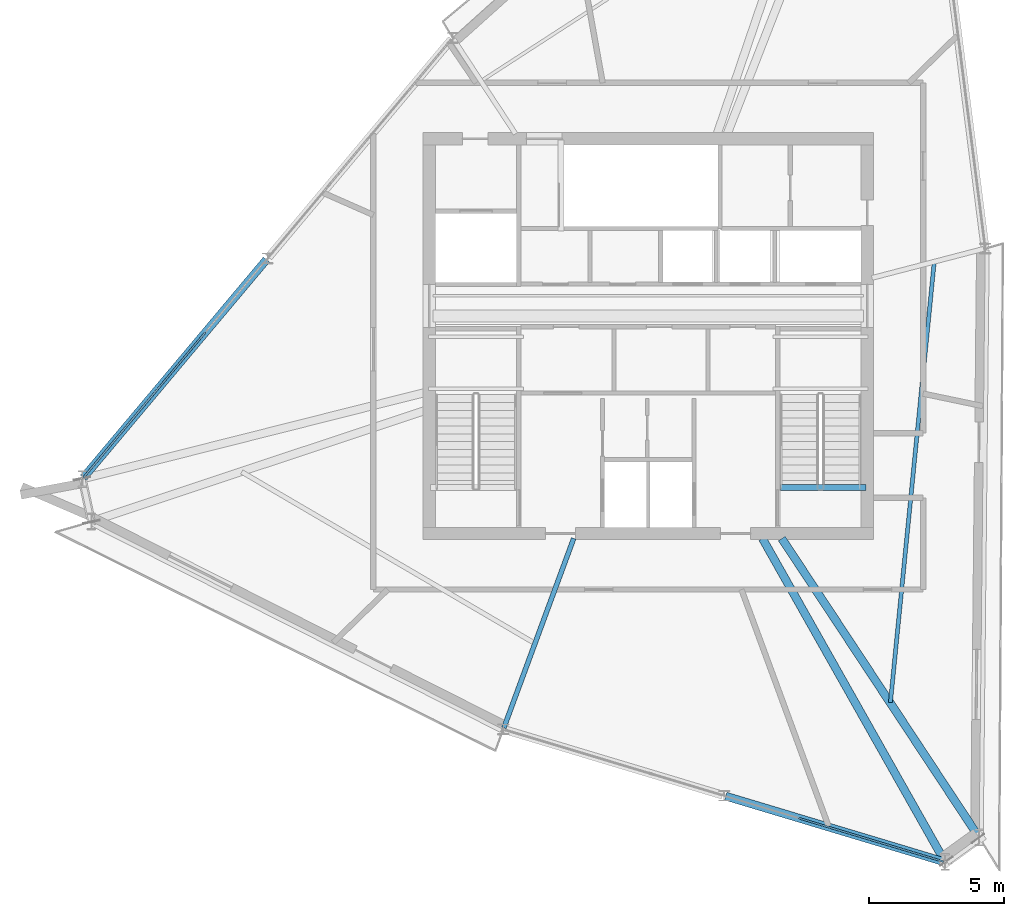
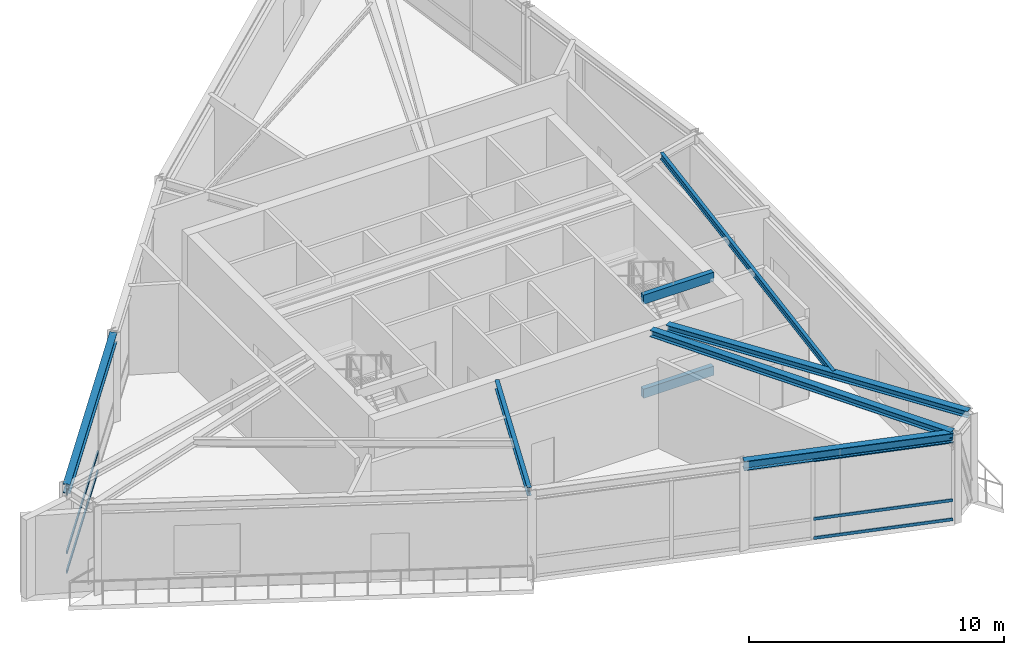
# One storey, part 5 of 23: 8 beams, 6 members, 2 elements without a shape of their own.
"""IFC4 building model written with IfcOpenShell, lengths in metres."""

from ifc_helpers import new_model, si_unit, direction, frame, origin, origin_2d, place, context, subcontext, project, spatial, rectangle, hollow_rectangle, i_section, extrude, source, transform, mapped, material, material_profile, profile_set, type_object, element, aggregate, save


model = new_model("IFC4")

# Units and contexts
model_context = context("Model", 3, precision=1e-05, world=origin(), true_north=direction((0.0, 1.0)))
body_context = subcontext(model_context, "Body", "Model", "MODEL_VIEW")
ifc_project = project(units=[si_unit("LENGTHUNIT", "METRE"), si_unit("AREAUNIT", "SQUARE_METRE"), si_unit("VOLUMEUNIT", "CUBIC_METRE"), si_unit("PLANEANGLEUNIT", "RADIAN"), si_unit("MASSUNIT", "GRAM", prefix="KILO")], contexts=[model_context])

# Site, building, storey
site_placement = place(None, origin())
site = spatial("IfcSite", under=ifc_project, at=site_placement, CompositionType="ELEMENT")
building_placement = place(site_placement, origin())
building = spatial("IfcBuilding", under=site, at=building_placement, Name="Olszyna Solenne Hotel", CompositionType="ELEMENT")
storey_placement = place(building_placement, frame((0.0, 0.0, 290.5)))
storey = spatial("IfcBuildingStorey", under=building, at=storey_placement, Name="L77", CompositionType="ELEMENT", Elevation=290.5)

# Beams
ifc_material_1 = material(Name="Steel S355J2", Category="steel")
ifc_material_profile_1 = material_profile(ifc_material_1, i_section(OverallWidth=0.300048828125, OverallDepth=0.449951171875, WebThickness=0.013916015625, FlangeThickness=0.02587890625, at=origin_2d()), Name="HEB 450", Category="load-bearing")
ifc_profile_set_1 = profile_set([ifc_material_profile_1], Name="Steel S355J2")
beam_type_1 = type_object("IfcBeamType", Name="BM-S4", PredefinedType="BEAM", material=ifc_profile_set_1)
shared_shape_1 = source(origin(), body_context, "Body", "SweptSolid", [
    extrude(i_section(OverallWidth=0.300048828125, OverallDepth=0.449951171875, WebThickness=0.013916015625, FlangeThickness=0.02587890625, at=origin_2d()), origin(), (0.0, 0.0, 1.0), 10.564208984375),
])
beam_1_placement = place(storey_placement, frame((23.830810546875, 29.440185546875, 4.014892578125), z_axis=(-0.643069046856, -0.765808201167, 0.0), x_axis=(0.765808201167, -0.643069046856, 0.0)))
element("IfcBeam", 1, at=beam_1_placement, inside=storey, type_object=beam_type_1, Name="Perimeter spandrel beam BM-S4 B-L77-2255", PredefinedType="BEAM", context=body_context, shape_type="MappedRepresentation", body=[
    mapped(shared_shape_1, transform((0.0, 0.0, 0.0), x_axis=(1.0, 0.0, 0.0), y_axis=(0.0, 1.0, 0.0), z_axis=(0.0, 0.0, 1.0), scale=1.0)),
])
shared_shape_2 = source(origin(), body_context, "Body", "SweptSolid", [
    extrude(i_section(OverallWidth=0.300048828125, OverallDepth=0.449951171875, WebThickness=0.013916015625, FlangeThickness=0.02587890625, at=origin_2d()), origin(), (0.0, 0.0, 1.0), 8.439453125),
])
beam_2_placement = place(storey_placement, frame((40.876708984375, 9.5322265625, 4.014892578125), z_axis=(0.957713150335, -0.287724732472, 0.0), x_axis=(0.287724732472, 0.957713150335, 0.0)))
element("IfcBeam", 2, at=beam_2_placement, inside=storey, type_object=beam_type_1, Name="Perimeter spandrel beam BM-S4 B-L77-2259", PredefinedType="BEAM", context=body_context, shape_type="MappedRepresentation", body=[
    mapped(shared_shape_2, transform((0.0, 0.0, 0.0), x_axis=(1.0, 0.0, 0.0), y_axis=(0.0, 1.0, 0.0), z_axis=(0.0, 0.0, 1.0), scale=1.0)),
])
ifc_material_profile_2 = material_profile(ifc_material_1, i_section(OverallWidth=0.300048828125, OverallDepth=0.31005859375, WebThickness=0.009033203125, FlangeThickness=0.015380859375, at=origin_2d()), Name="HEA 320", Category="load-bearing")
ifc_profile_set_2 = profile_set([ifc_material_profile_2], Name="Steel S355J2")
beam_type_2 = type_object("IfcBeamType", Name="BM-G3", PredefinedType="BEAM", material=ifc_profile_set_2)
shared_shape_3 = source(origin(), body_context, "Body", "SweptSolid", [
    extrude(i_section(OverallWidth=0.300048828125, OverallDepth=0.31005859375, WebThickness=0.009033203125, FlangeThickness=0.015380859375, at=origin_2d()), origin(), (0.0, 0.0, 1.0), 13.728271484375),
])
beam_3_placement = place(storey_placement, frame((48.9873046875, 7.138916015625, 4.0849609375), z_axis=(-0.491633520699, 0.870802205627, 0.0), x_axis=(-0.870802205627, -0.491633520699, 0.0)))
element("IfcBeam", 3, at=beam_3_placement, inside=storey, type_object=beam_type_2, Name="Radial floor girder BM-G3 B-L77-2270", PredefinedType="BEAM", context=body_context, shape_type="MappedRepresentation", body=[
    mapped(shared_shape_3, transform((0.0, 0.0, 0.0), x_axis=(1.0, 0.0, 0.0), y_axis=(0.0, 1.0, 0.0), z_axis=(0.0, 0.0, 1.0), scale=1.0)),
])
ifc_material_profile_3 = material_profile(ifc_material_1, i_section(OverallWidth=0.179931640625, OverallDepth=0.39990234375, WebThickness=0.008544921875, FlangeThickness=0.013427734375, at=origin_2d()), Name="IPE 400", Category="load-bearing")
ifc_profile_set_3 = profile_set([ifc_material_profile_3], Name="Steel S355J2")
beam_type_3 = type_object("IfcBeamType", Name="BM-F5", PredefinedType="BEAM", material=ifc_profile_set_3)
shared_shape_4 = source(origin(), body_context, "Body", "SweptSolid", [
    extrude(i_section(OverallWidth=0.179931640625, OverallDepth=0.39990234375, WebThickness=0.008544921875, FlangeThickness=0.013427734375, at=origin_2d()), origin(), (0.0, 0.0, 1.0), 7.490478515625),
])
beam_4_placement = place(storey_placement, frame((32.64208984375, 12.06884765625, 4.0400390625), z_axis=(0.345942481997, 0.938255721618, 0.0), x_axis=(-0.938255721618, 0.345942481997, 0.0)))
element("IfcBeam", 4, at=beam_4_placement, inside=storey, type_object=beam_type_3, Name="Radial floor girder BM-F5 B-L77-2269", PredefinedType="BEAM", context=body_context, shape_type="MappedRepresentation", body=[
    mapped(shared_shape_4, transform((0.0, 0.0, 0.0), x_axis=(1.0, 0.0, 0.0), y_axis=(0.0, 1.0, 0.0), z_axis=(0.0, 0.0, 1.0), scale=1.0)),
])
shared_shape_5 = source(origin(), body_context, "Body", "SweptSolid", [
    extrude(i_section(OverallWidth=0.300048828125, OverallDepth=0.31005859375, WebThickness=0.009033203125, FlangeThickness=0.015380859375, at=origin_2d()), origin(), (0.0, 0.0, 1.0), 13.233642578125),
])
beam_5_placement = place(storey_placement, frame((50.245849609375, 8.047119140625, 4.0849609375), z_axis=(-0.550871250584, 0.834590237949, 0.0), x_axis=(-0.834590237949, -0.550871250584, 0.0)))
element("IfcBeam", 5, at=beam_5_placement, inside=storey, type_object=beam_type_2, Name="Radial floor girder BM-G3 B-L77-2271", PredefinedType="BEAM", context=body_context, shape_type="MappedRepresentation", body=[
    mapped(shared_shape_5, transform((0.0, 0.0, 0.0), x_axis=(1.0, 0.0, 0.0), y_axis=(0.0, 1.0, 0.0), z_axis=(0.0, 0.0, 1.0), scale=1.0)),
])
ifc_material_profile_4 = material_profile(ifc_material_1, i_section(OverallWidth=0.14990234375, OverallDepth=0.300048828125, WebThickness=0.007080078125, FlangeThickness=0.0107421875, at=origin_2d()), Name="IPE 300", Category="load-bearing")
ifc_profile_set_4 = profile_set([ifc_material_profile_4], Name="Steel S355J2")
beam_type_4 = type_object("IfcBeamType", Name="JS-02", PredefinedType="JOIST", material=ifc_profile_set_4)
shared_shape_6 = source(origin(), body_context, "Body", "SweptSolid", [
    extrude(i_section(OverallWidth=0.14990234375, OverallDepth=0.300048828125, WebThickness=0.007080078125, FlangeThickness=0.0107421875, at=origin_2d()), origin(), (0.0, 0.0, 1.0), 16.41552734375),
])
beam_6_placement = place(storey_placement, frame((46.985595703125, 13.009521484375, 4.090087890625), z_axis=(0.098947087157, 0.995092696156, 0.0), x_axis=(-0.995092696156, 0.098947087157, 0.0)))
element("IfcBeam", 6, at=beam_6_placement, inside=storey, type_object=beam_type_4, Name="Secondary composite floor joist JS-02 B-L77-2275", PredefinedType="JOIST", context=body_context, shape_type="MappedRepresentation", body=[
    mapped(shared_shape_6, transform((0.0, 0.0, 0.0), x_axis=(1.0, 0.0, 0.0), y_axis=(0.0, 1.0, 0.0), z_axis=(0.0, 0.0, 1.0), scale=1.0)),
])

# Curtain wall, members
ifc_material_2 = material(Name="Anodised bronze aluminium", Category="aluminium")
curtain_wall_type = type_object("IfcCurtainWallType", Name="CW-SYS-7", PredefinedType="NOTDEFINED", material=ifc_material_2)
curtain_wall_1_placement = place(storey_placement, origin())
curtain_wall_1 = element("IfcCurtainWall", 7, at=curtain_wall_1_placement, inside=storey, type_object=curtain_wall_type, Name="Unitised curtain wall CW-SYS-7 CW-L77-01", PredefinedType="NOTDEFINED")
ifc_material_profile_5 = material_profile(ifc_material_2, hollow_rectangle(XDim=0.06494140625, YDim=0.139892578125, WallThickness=0.00390625, at=origin_2d()), Name="TRAN 140x65x4", Category="load-bearing")
ifc_profile_set_5 = profile_set([ifc_material_profile_5], Name="Anodised bronze aluminium")
member_type = type_object("IfcMemberType", Name="CW-T2", PredefinedType="USERDEFINED", material=ifc_profile_set_5)
shared_shape_7 = source(origin(), body_context, "Body", "SweptSolid", [
    extrude(hollow_rectangle(XDim=0.06494140625, YDim=0.139892578125, WallThickness=0.00390625, at=origin_2d()), origin(), (0.0, 0.0, 1.0), 5.60888671875),
])
member_1_placement = place(storey_placement, frame((43.582763671875, 8.71923828125, 0.032470703125), z_axis=(0.957717199964, -0.287711252636, 0.0), x_axis=(0.287711252636, 0.957717199964, 0.0)))
member_1 = element("IfcMember", 8, at=member_1_placement, type_object=member_type, Name="Curtain-wall transom CW-T2 CT-L77-01-07", ObjectType="TRANSOM", PredefinedType="USERDEFINED", context=body_context, shape_type="MappedRepresentation", body=[
    mapped(shared_shape_7, transform((0.0, 0.0, 0.0), x_axis=(1.0, 0.0, 0.0), y_axis=(0.0, 1.0, 0.0), z_axis=(0.0, 0.0, 1.0), scale=1.0)),
])
member_2_placement = place(storey_placement, frame((43.582763671875, 8.71923828125, 0.949951171875), z_axis=(0.957717199964, -0.287711252636, 0.0), x_axis=(0.287711252636, 0.957717199964, 0.0)))
member_2 = element("IfcMember", 9, at=member_2_placement, type_object=member_type, Name="Curtain-wall transom CW-T2 CT-L77-01-08", ObjectType="TRANSOM", PredefinedType="USERDEFINED", context=body_context, shape_type="MappedRepresentation", body=[
    mapped(shared_shape_7, transform((0.0, 0.0, 0.0), x_axis=(1.0, 0.0, 0.0), y_axis=(0.0, 1.0, 0.0), z_axis=(0.0, 0.0, 1.0), scale=1.0)),
])
member_3_placement = place(storey_placement, frame((43.582763671875, 8.71923828125, 3.74951171875), z_axis=(0.957717199964, -0.287711252636, 0.0), x_axis=(0.287711252636, 0.957717199964, 0.0)))
member_3 = element("IfcMember", 10, at=member_3_placement, type_object=member_type, Name="Curtain-wall transom CW-T2 CT-L77-01-09", ObjectType="TRANSOM", PredefinedType="USERDEFINED", context=body_context, shape_type="MappedRepresentation", body=[
    mapped(shared_shape_7, transform((0.0, 0.0, 0.0), x_axis=(1.0, 0.0, 0.0), y_axis=(0.0, 1.0, 0.0), z_axis=(0.0, 0.0, 1.0), scale=1.0)),
])
aggregate(curtain_wall_1, [member_1, member_2, member_3])

curtain_wall_2_placement = place(storey_placement, origin())
curtain_wall_2 = element("IfcCurtainWall", 11, at=curtain_wall_2_placement, inside=storey, type_object=curtain_wall_type, Name="Unitised curtain wall CW-SYS-7 CW-L77-02", PredefinedType="NOTDEFINED")
shared_shape_8 = source(origin(), body_context, "Body", "SweptSolid", [
    extrude(hollow_rectangle(XDim=0.06494140625, YDim=0.139892578125, WallThickness=0.00390625, at=origin_2d()), origin(), (0.0, 0.0, 1.0), 7.025146484375),
])
member_4_placement = place(storey_placement, frame((17.04052734375, 21.35400390625, 0.032470703125), z_axis=(0.643085314016, 0.765794540916, 0.0), x_axis=(-0.765794540916, 0.643085314016, 0.0)))
member_4 = element("IfcMember", 12, at=member_4_placement, type_object=member_type, Name="Curtain-wall transom CW-T2 CT-L77-02-01", ObjectType="TRANSOM", PredefinedType="USERDEFINED", context=body_context, shape_type="MappedRepresentation", body=[
    mapped(shared_shape_8, transform((0.0, 0.0, 0.0), x_axis=(1.0, 0.0, 0.0), y_axis=(0.0, 1.0, 0.0), z_axis=(0.0, 0.0, 1.0), scale=1.0)),
])
member_5_placement = place(storey_placement, frame((17.04052734375, 21.35400390625, 0.949951171875), z_axis=(0.643085314016, 0.765794540916, 0.0), x_axis=(-0.765794540916, 0.643085314016, 0.0)))
member_5 = element("IfcMember", 13, at=member_5_placement, type_object=member_type, Name="Curtain-wall transom CW-T2 CT-L77-02-02", ObjectType="TRANSOM", PredefinedType="USERDEFINED", context=body_context, shape_type="MappedRepresentation", body=[
    mapped(shared_shape_8, transform((0.0, 0.0, 0.0), x_axis=(1.0, 0.0, 0.0), y_axis=(0.0, 1.0, 0.0), z_axis=(0.0, 0.0, 1.0), scale=1.0)),
])
member_6_placement = place(storey_placement, frame((17.04052734375, 21.35400390625, 3.74951171875), z_axis=(0.643085314016, 0.765794540916, 0.0), x_axis=(-0.765794540916, 0.643085314016, 0.0)))
member_6 = element("IfcMember", 14, at=member_6_placement, type_object=member_type, Name="Curtain-wall transom CW-T2 CT-L77-02-03", ObjectType="TRANSOM", PredefinedType="USERDEFINED", context=body_context, shape_type="MappedRepresentation", body=[
    mapped(shared_shape_8, transform((0.0, 0.0, 0.0), x_axis=(1.0, 0.0, 0.0), y_axis=(0.0, 1.0, 0.0), z_axis=(0.0, 0.0, 1.0), scale=1.0)),
])
aggregate(curtain_wall_2, [member_4, member_5, member_6])

# Beams
ifc_material_3 = material(Name="Concrete C50/60", Category="concrete")
ifc_material_profile_6 = material_profile(ifc_material_3, rectangle(XDim=0.219970703125, YDim=0.43994140625, at=origin_2d()), Name="RC 220x440", Category="load-bearing")
ifc_profile_set_6 = profile_set([ifc_material_profile_6], Name="Concrete C50/60")
beam_type_5 = type_object("IfcBeamType", Name="BM-ST1", PredefinedType="BEAM", material=ifc_profile_set_6)
shared_shape_9 = source(origin(), body_context, "Body", "SweptSolid", [
    extrude(rectangle(XDim=0.219970703125, YDim=0.43994140625, at=origin_2d()), origin(), (0.0, 0.0, 1.0), 3.18017578125),
])
for number, where, z_axis, x_axis, name in (
    (15, (46.080078125, 20.97998046875, -0.205078125), (-1.0, 0.0, 0.0), (0.0, -1.0, 0.0), "Concrete stair trimmer beam BM-ST1 SHB-ST2-0479"),
    (16, (46.080078125, 20.97998046875, 4.294921875), (-1.0, 0.0, 0.0), (0.0, -1.0, 0.0), "Concrete stair trimmer beam BM-ST1 SHB-ST2-0480"),
):
    element("IfcBeam", number, at=place(storey_placement, frame(where, z_axis=z_axis, x_axis=x_axis)), inside=storey, type_object=beam_type_5, Name=name, PredefinedType="BEAM", context=body_context, shape_type="MappedRepresentation", body=[
        mapped(shared_shape_9, transform((0.0, 0.0, 0.0), x_axis=(1.0, 0.0, 0.0), y_axis=(0.0, 1.0, 0.0), z_axis=(0.0, 0.0, 1.0), scale=1.0)),
    ])

save(model, "model.ifc")
